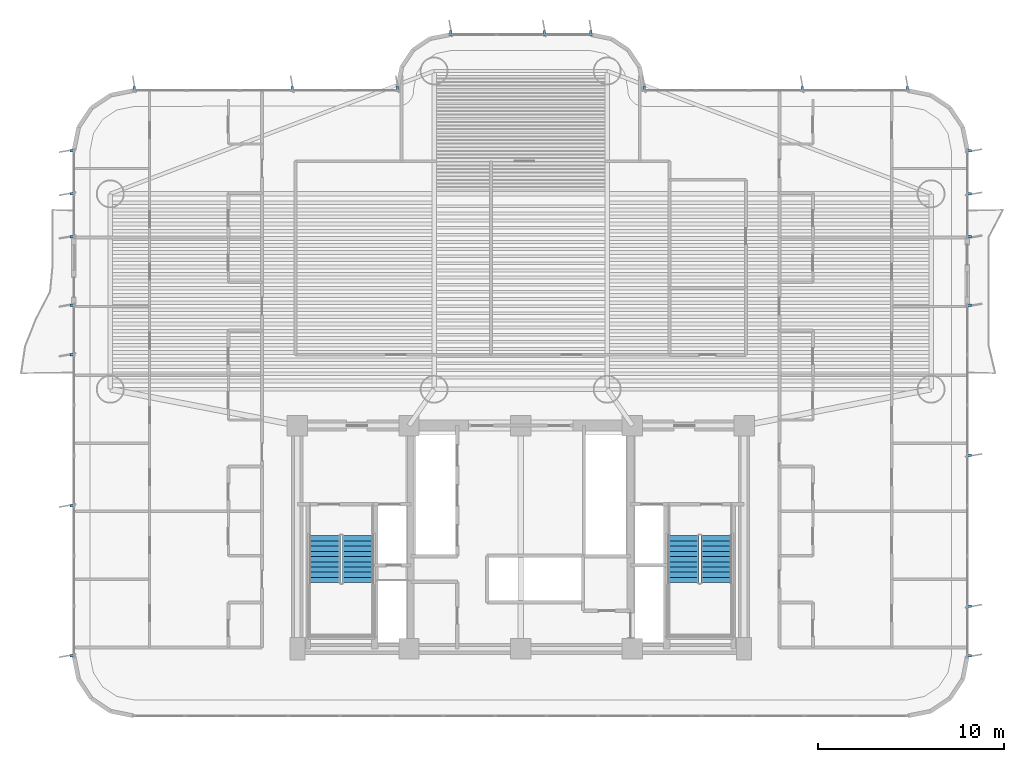
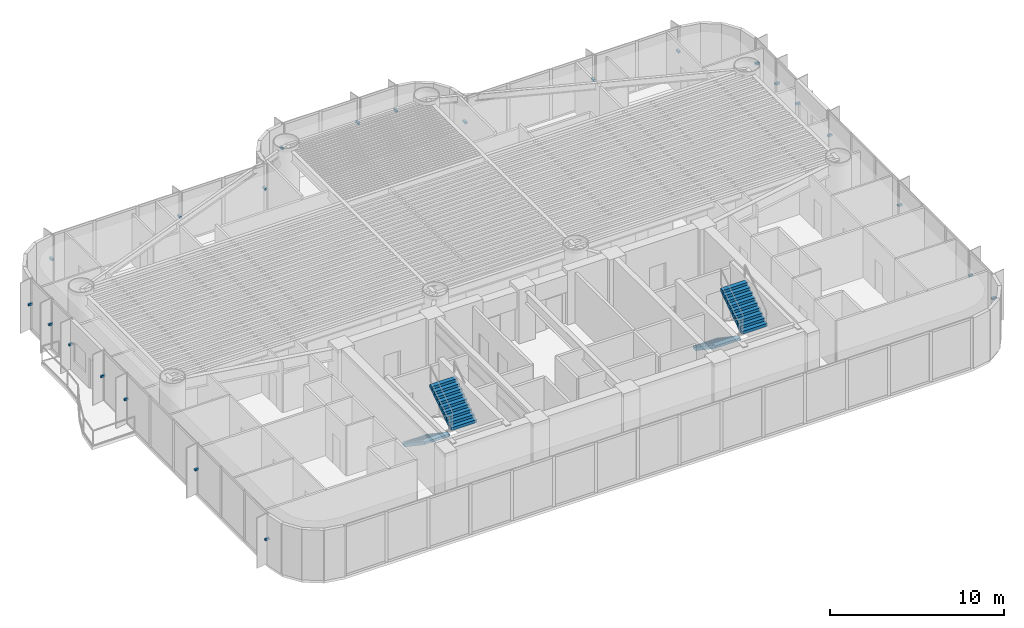
# One storey, part 15 of 19: 23 discrete accessories, 4 stair flights, 2 elements without a shape of their own.
"""IFC4 building model written with IfcOpenShell, lengths in metres."""

from ifc_helpers import new_model, si_unit, direction, frame, origin, origin_2d, place, context, subcontext, project, spatial, polyline, rectangle, outline, extrude, source, transform, mapped, material, type_object, element, aggregate, save


model = new_model("IFC4")

# Units and contexts
model_context = context("Model", 3, precision=1e-05, world=origin(), true_north=direction((0.0, 1.0)))
body_context = subcontext(model_context, "Body", "Model", "MODEL_VIEW")
ifc_project = project(units=[si_unit("LENGTHUNIT", "METRE"), si_unit("AREAUNIT", "SQUARE_METRE"), si_unit("VOLUMEUNIT", "CUBIC_METRE"), si_unit("PLANEANGLEUNIT", "RADIAN"), si_unit("MASSUNIT", "GRAM", prefix="KILO")], contexts=[model_context])

# Site, building, storey
site_placement = place(None, origin())
site = spatial("IfcSite", under=ifc_project, at=site_placement, CompositionType="ELEMENT")
building_placement = place(site_placement, origin())
building = spatial("IfcBuilding", under=site, at=building_placement, Name="Brelvock Crest Care Tower", CompositionType="ELEMENT")
storey_placement = place(building_placement, frame((0.0, 0.0, 34.56005859375)))
storey = spatial("IfcBuildingStorey", under=building, at=storey_placement, Name="L08", CompositionType="ELEMENT", Elevation=34.56005859375)

# Stair, stair flights
ifc_material_1 = material(Name="Concrete N40 (40 MPa)", Category="concrete")
stair_type = type_object("IfcStairType", Name="ST-CORE1", PredefinedType="HALF_TURN_STAIR", material=ifc_material_1)
stair_1_placement = place(storey_placement, origin())
stair_1 = element("IfcStair", 1, at=stair_1_placement, inside=storey, type_object=stair_type, Name="L08 Fire-Isolated Core Stair ST-1", PredefinedType="HALF_TURN_STAIR")
stair_flight_type = type_object("IfcStairFlightType", Name="STF-1", PredefinedType="STRAIGHT", material=ifc_material_1)
stair_flight_1_placement = place(storey_placement, frame((25.469970703125, 12.080078125, 0.0), z_axis=(0.0, 0.0, 1.0), x_axis=(0.0, -1.0, 0.0)))
stair_flight_1 = element("IfcStairFlight", 2, at=stair_flight_1_placement, type_object=stair_flight_type, Name="ST-1 flight 1", NumberOfRisers=10, NumberOfTreads=9, PredefinedType="STRAIGHT", RiserHeight=0.189, TreadLength=0.28, context=body_context, shape_type="SweptSolid", body=[
    extrude(outline(polyline([(-0.00390625, -0.014892578125), (-0.00390625, -0.0078125), (-0.00390625, -0.00048828125), (-0.00390625, 0.0068359375), (-0.00390625, 0.01416015625), (-0.00390625, 0.021484375), (-0.00390625, 0.02880859375), (-0.00390625, 0.035888671875), (-0.00390625, 0.043212890625), (-0.00390625, 0.050537109375), (-0.00390625, 0.057861328125), (-0.00390625, 0.065185546875), (-0.00390625, 0.072509765625), (-0.00390625, 0.07958984375), (-0.00390625, 0.0869140625), (-0.00390625, 0.09423828125), (-0.00390625, 0.1015625), (-0.00390625, 0.10888671875), (-0.00390625, 0.1162109375), (-0.00390625, 0.12353515625), (-0.00390625, 0.130615234375), (-0.00390625, 0.137939453125), (-0.00390625, 0.145263671875), (-0.00390625, 0.152587890625), (-0.00390625, 0.159912109375), (-0.00390625, 0.167236328125), (-0.00390625, 0.17431640625), (-0.00390625, 0.181640625), (-0.00390625, 0.18896484375), (0.0, 0.18896484375), (0.280029296875, 0.18896484375), (0.280029296875, 0.3779296875), (0.56005859375, 0.3779296875), (0.56005859375, 0.56689453125), (0.840087890625, 0.56689453125), (0.840087890625, 0.756103515625), (1.1201171875, 0.756103515625), (1.1201171875, 0.945068359375), (1.39990234375, 0.945068359375), (1.39990234375, 1.134033203125), (1.679931640625, 1.134033203125), (1.679931640625, 1.322998046875), (1.9599609375, 1.322998046875), (1.9599609375, 1.511962890625), (2.239990234375, 1.511962890625), (2.239990234375, 1.700927734375), (2.52001953125, 1.700927734375), (2.52392578125, 1.700927734375), (2.523681640625, 1.70068359375), (2.52392578125, 1.700439453125), (2.523681640625, 1.699951171875), (2.52392578125, 1.69970703125), (2.523681640625, 1.699462890625), (2.52392578125, 1.698974609375), (2.523681640625, 1.69873046875), (2.52392578125, 1.698486328125), (2.523681640625, 1.697998046875), (2.52392578125, 1.69775390625), (2.523681640625, 1.697509765625), (2.52392578125, 1.697021484375), (2.523681640625, 1.69677734375), (2.52392578125, 1.696533203125), (2.523681640625, 1.6962890625), (2.52392578125, 1.69580078125), (2.523681640625, 1.695556640625), (2.52392578125, 1.6953125), (2.523681640625, 1.69482421875), (2.52392578125, 1.694580078125), (2.523681640625, 1.6943359375), (2.52392578125, 1.69384765625), (2.523681640625, 1.693603515625), (2.52392578125, 1.693359375), (2.523681640625, 1.69287109375), (2.52392578125, 1.692626953125), (2.523681640625, 1.6923828125), (2.52392578125, 1.69189453125), (2.52001953125, 1.520263671875), (0.267822265625, 0.0), (0.0, 0.0), (0.0, -0.014892578125), (-0.00390625, -0.014892578125)])), frame((0.0, 0.83984375, 0.0), z_axis=(0.0, -1.0, 0.0), x_axis=(1.0, 0.0, 0.0)), (0.0, 0.0, 1.0), 1.679931640625),
])
stair_flight_2_placement = place(storey_placement, frame((27.27001953125, 9.56005859375, 1.889892578125), z_axis=(0.0, 0.0, 1.0), x_axis=(0.0, 1.0, 0.0)))
stair_flight_2 = element("IfcStairFlight", 3, at=stair_flight_2_placement, type_object=stair_flight_type, Name="ST-1 flight 2", NumberOfRisers=10, NumberOfTreads=9, PredefinedType="STRAIGHT", RiserHeight=0.189, TreadLength=0.28, context=body_context, shape_type="SweptSolid", body=[
    extrude(outline(polyline([(-0.00390625, -0.014892578125), (-0.00390625, -0.0078125), (-0.00390625, -0.00048828125), (-0.00390625, 0.0068359375), (-0.00390625, 0.01416015625), (-0.00390625, 0.021484375), (-0.00390625, 0.02880859375), (-0.00390625, 0.035888671875), (-0.00390625, 0.043212890625), (-0.00390625, 0.050537109375), (-0.00390625, 0.057861328125), (-0.00390625, 0.065185546875), (-0.00390625, 0.072509765625), (-0.00390625, 0.07958984375), (-0.00390625, 0.0869140625), (-0.00390625, 0.09423828125), (-0.00390625, 0.1015625), (-0.00390625, 0.10888671875), (-0.00390625, 0.1162109375), (-0.00390625, 0.12353515625), (-0.00390625, 0.130615234375), (-0.00390625, 0.137939453125), (-0.00390625, 0.145263671875), (-0.00390625, 0.152587890625), (-0.00390625, 0.159912109375), (-0.00390625, 0.167236328125), (-0.00390625, 0.17431640625), (-0.00390625, 0.181640625), (-0.00390625, 0.18896484375), (0.0, 0.18896484375), (0.280029296875, 0.18896484375), (0.280029296875, 0.3779296875), (0.56005859375, 0.3779296875), (0.56005859375, 0.56689453125), (0.840087890625, 0.56689453125), (0.840087890625, 0.756103515625), (1.1201171875, 0.756103515625), (1.1201171875, 0.945068359375), (1.39990234375, 0.945068359375), (1.39990234375, 1.134033203125), (1.679931640625, 1.134033203125), (1.679931640625, 1.322998046875), (1.9599609375, 1.322998046875), (1.9599609375, 1.511962890625), (2.239990234375, 1.511962890625), (2.239990234375, 1.700927734375), (2.52001953125, 1.700927734375), (2.52392578125, 1.700927734375), (2.523681640625, 1.70068359375), (2.52392578125, 1.700439453125), (2.523681640625, 1.699951171875), (2.52392578125, 1.69970703125), (2.523681640625, 1.699462890625), (2.52392578125, 1.698974609375), (2.523681640625, 1.69873046875), (2.52392578125, 1.698486328125), (2.523681640625, 1.697998046875), (2.52392578125, 1.69775390625), (2.523681640625, 1.697509765625), (2.52392578125, 1.697021484375), (2.523681640625, 1.69677734375), (2.52392578125, 1.696533203125), (2.523681640625, 1.6962890625), (2.52392578125, 1.69580078125), (2.523681640625, 1.695556640625), (2.52392578125, 1.6953125), (2.523681640625, 1.69482421875), (2.52392578125, 1.694580078125), (2.523681640625, 1.6943359375), (2.52392578125, 1.69384765625), (2.523681640625, 1.693603515625), (2.52392578125, 1.693359375), (2.523681640625, 1.69287109375), (2.52392578125, 1.692626953125), (2.523681640625, 1.6923828125), (2.52392578125, 1.69189453125), (2.52001953125, 1.520263671875), (0.267822265625, 0.0), (0.0, 0.0), (0.0, -0.014892578125), (-0.00390625, -0.014892578125)])), frame((0.0, 0.83984375, 0.0), z_axis=(0.0, -1.0, 0.0), x_axis=(1.0, 0.0, 0.0)), (0.0, 0.0, 1.0), 1.679931640625),
])
aggregate(stair_1, [stair_flight_1, stair_flight_2])

stair_2_placement = place(storey_placement, origin())
stair_2 = element("IfcStair", 4, at=stair_2_placement, inside=storey, type_object=stair_type, Name="L08 Fire-Isolated Core Stair ST-2", PredefinedType="HALF_TURN_STAIR")
stair_flight_3_placement = place(storey_placement, frame((44.72998046875, 12.080078125, 0.0), z_axis=(0.0, 0.0, 1.0), x_axis=(0.0, -1.0, 0.0)))
stair_flight_3 = element("IfcStairFlight", 5, at=stair_flight_3_placement, type_object=stair_flight_type, Name="ST-2 flight 1", NumberOfRisers=10, NumberOfTreads=9, PredefinedType="STRAIGHT", RiserHeight=0.189, TreadLength=0.28, context=body_context, shape_type="SweptSolid", body=[
    extrude(outline(polyline([(-0.00390625, -0.014892578125), (-0.00390625, -0.0078125), (-0.00390625, -0.00048828125), (-0.00390625, 0.0068359375), (-0.00390625, 0.01416015625), (-0.00390625, 0.021484375), (-0.00390625, 0.02880859375), (-0.00390625, 0.035888671875), (-0.00390625, 0.043212890625), (-0.00390625, 0.050537109375), (-0.00390625, 0.057861328125), (-0.00390625, 0.065185546875), (-0.00390625, 0.072509765625), (-0.00390625, 0.07958984375), (-0.00390625, 0.0869140625), (-0.00390625, 0.09423828125), (-0.00390625, 0.1015625), (-0.00390625, 0.10888671875), (-0.00390625, 0.1162109375), (-0.00390625, 0.12353515625), (-0.00390625, 0.130615234375), (-0.00390625, 0.137939453125), (-0.00390625, 0.145263671875), (-0.00390625, 0.152587890625), (-0.00390625, 0.159912109375), (-0.00390625, 0.167236328125), (-0.00390625, 0.17431640625), (-0.00390625, 0.181640625), (-0.00390625, 0.18896484375), (0.0, 0.18896484375), (0.280029296875, 0.18896484375), (0.280029296875, 0.3779296875), (0.56005859375, 0.3779296875), (0.56005859375, 0.56689453125), (0.840087890625, 0.56689453125), (0.840087890625, 0.756103515625), (1.1201171875, 0.756103515625), (1.1201171875, 0.945068359375), (1.39990234375, 0.945068359375), (1.39990234375, 1.134033203125), (1.679931640625, 1.134033203125), (1.679931640625, 1.322998046875), (1.9599609375, 1.322998046875), (1.9599609375, 1.511962890625), (2.239990234375, 1.511962890625), (2.239990234375, 1.700927734375), (2.52001953125, 1.700927734375), (2.52392578125, 1.700927734375), (2.523681640625, 1.70068359375), (2.52392578125, 1.700439453125), (2.523681640625, 1.699951171875), (2.52392578125, 1.69970703125), (2.523681640625, 1.699462890625), (2.52392578125, 1.698974609375), (2.523681640625, 1.69873046875), (2.52392578125, 1.698486328125), (2.523681640625, 1.697998046875), (2.52392578125, 1.69775390625), (2.523681640625, 1.697509765625), (2.52392578125, 1.697021484375), (2.523681640625, 1.69677734375), (2.52392578125, 1.696533203125), (2.523681640625, 1.6962890625), (2.52392578125, 1.69580078125), (2.523681640625, 1.695556640625), (2.52392578125, 1.6953125), (2.523681640625, 1.69482421875), (2.52392578125, 1.694580078125), (2.523681640625, 1.6943359375), (2.52392578125, 1.69384765625), (2.523681640625, 1.693603515625), (2.52392578125, 1.693359375), (2.523681640625, 1.69287109375), (2.52392578125, 1.692626953125), (2.523681640625, 1.6923828125), (2.52392578125, 1.69189453125), (2.52001953125, 1.520263671875), (0.267822265625, 0.0), (0.0, 0.0), (0.0, -0.014892578125), (-0.00390625, -0.014892578125)])), frame((0.0, 0.83984375, 0.0), z_axis=(0.0, -1.0, 0.0), x_axis=(1.0, 0.0, 0.0)), (0.0, 0.0, 1.0), 1.679931640625),
])
stair_flight_4_placement = place(storey_placement, frame((46.530029296875, 9.56005859375, 1.889892578125), z_axis=(0.0, 0.0, 1.0), x_axis=(0.0, 1.0, 0.0)))
stair_flight_4 = element("IfcStairFlight", 6, at=stair_flight_4_placement, type_object=stair_flight_type, Name="ST-2 flight 2", NumberOfRisers=10, NumberOfTreads=9, PredefinedType="STRAIGHT", RiserHeight=0.189, TreadLength=0.28, context=body_context, shape_type="SweptSolid", body=[
    extrude(outline(polyline([(-0.00390625, -0.014892578125), (-0.00390625, -0.0078125), (-0.00390625, -0.00048828125), (-0.00390625, 0.0068359375), (-0.00390625, 0.01416015625), (-0.00390625, 0.021484375), (-0.00390625, 0.02880859375), (-0.00390625, 0.035888671875), (-0.00390625, 0.043212890625), (-0.00390625, 0.050537109375), (-0.00390625, 0.057861328125), (-0.00390625, 0.065185546875), (-0.00390625, 0.072509765625), (-0.00390625, 0.07958984375), (-0.00390625, 0.0869140625), (-0.00390625, 0.09423828125), (-0.00390625, 0.1015625), (-0.00390625, 0.10888671875), (-0.00390625, 0.1162109375), (-0.00390625, 0.12353515625), (-0.00390625, 0.130615234375), (-0.00390625, 0.137939453125), (-0.00390625, 0.145263671875), (-0.00390625, 0.152587890625), (-0.00390625, 0.159912109375), (-0.00390625, 0.167236328125), (-0.00390625, 0.17431640625), (-0.00390625, 0.181640625), (-0.00390625, 0.18896484375), (0.0, 0.18896484375), (0.280029296875, 0.18896484375), (0.280029296875, 0.3779296875), (0.56005859375, 0.3779296875), (0.56005859375, 0.56689453125), (0.840087890625, 0.56689453125), (0.840087890625, 0.756103515625), (1.1201171875, 0.756103515625), (1.1201171875, 0.945068359375), (1.39990234375, 0.945068359375), (1.39990234375, 1.134033203125), (1.679931640625, 1.134033203125), (1.679931640625, 1.322998046875), (1.9599609375, 1.322998046875), (1.9599609375, 1.511962890625), (2.239990234375, 1.511962890625), (2.239990234375, 1.700927734375), (2.52001953125, 1.700927734375), (2.52392578125, 1.700927734375), (2.523681640625, 1.70068359375), (2.52392578125, 1.700439453125), (2.523681640625, 1.699951171875), (2.52392578125, 1.69970703125), (2.523681640625, 1.699462890625), (2.52392578125, 1.698974609375), (2.523681640625, 1.69873046875), (2.52392578125, 1.698486328125), (2.523681640625, 1.697998046875), (2.52392578125, 1.69775390625), (2.523681640625, 1.697509765625), (2.52392578125, 1.697021484375), (2.523681640625, 1.69677734375), (2.52392578125, 1.696533203125), (2.523681640625, 1.6962890625), (2.52392578125, 1.69580078125), (2.523681640625, 1.695556640625), (2.52392578125, 1.6953125), (2.523681640625, 1.69482421875), (2.52392578125, 1.694580078125), (2.523681640625, 1.6943359375), (2.52392578125, 1.69384765625), (2.523681640625, 1.693603515625), (2.52392578125, 1.693359375), (2.523681640625, 1.69287109375), (2.52392578125, 1.692626953125), (2.523681640625, 1.6923828125), (2.52392578125, 1.69189453125), (2.52001953125, 1.520263671875), (0.267822265625, 0.0), (0.0, 0.0), (0.0, -0.014892578125), (-0.00390625, -0.014892578125)])), frame((0.0, 0.83984375, 0.0), z_axis=(0.0, -1.0, 0.0), x_axis=(1.0, 0.0, 0.0)), (0.0, 0.0, 1.0), 1.679931640625),
])
aggregate(stair_2, [stair_flight_3, stair_flight_4])

# Discrete accessories
ifc_material_2 = material(Name="Steel Grade 350", Category="steel")
discrete_accessory_type = type_object("IfcDiscreteAccessoryType", Name="ACC-BRK1", PredefinedType="BRACKET", material=ifc_material_2)
shared_shape = source(origin(), body_context, "Body", "SweptSolid", [
    extrude(rectangle(XDim=0.280029296875, YDim=0.139892578125, at=origin_2d()), origin(), (0.0, 0.0, 1.0), 0.139892578125),
])
for number, where, z_axis, x_axis, name in (
    (7, (60.080078125, 32.767578125, 1.69482421875), (0.0, 0.0, 1.0), (1.0, 0.0, 0.0), "L08 Facade Fin Bracket E03A-01"),
    (8, (60.080078125, 30.449951171875, 1.69482421875), (0.0, 0.0, 1.0), (1.0, 0.0, 0.0), "L08 Facade Fin Bracket E03A-02"),
    (9, (60.080078125, 28.132568359375, 1.69482421875), (0.0, 0.0, 1.0), (1.0, 0.0, 0.0), "L08 Facade Fin Bracket E03A-03"),
    (10, (60.080078125, 24.467529296875, 1.69482421875), (0.0, 0.0, 1.0), (1.0, 0.0, 0.0), "L08 Facade Fin Bracket E03B-01"),
    (11, (60.080078125, 16.39990234375, 1.69482421875), (0.0, 0.0, 1.0), (1.0, 0.0, 0.0), "L08 Facade Fin Bracket E03B-04"),
    (12, (60.080078125, 8.300048828125, 1.69482421875), (0.0, 0.0, 1.0), (1.0, 0.0, 0.0), "L08 Facade Fin Bracket E03B-07"),
    (13, (60.080078125, 5.632568359375, 1.69482421875), (0.0, 0.0, 1.0), (1.0, 0.0, 0.0), "L08 Facade Fin Bracket E03B-08"),
    (14, (11.919921875, 5.632568359375, 1.69482421875), (0.0, 0.0, 1.0), (-1.0, 0.0, 0.0), "L08 Facade Fin Bracket E13A-01"),
    (15, (11.919921875, 13.699951171875, 1.69482421875), (0.0, 0.0, 1.0), (-1.0, 0.0, 0.0), "L08 Facade Fin Bracket E13A-04"),
    (16, (11.919921875, 21.800048828125, 1.69482421875), (0.0, 0.0, 1.0), (-1.0, 0.0, 0.0), "L08 Facade Fin Bracket E13A-07"),
    (17, (11.919921875, 24.467529296875, 1.69482421875), (0.0, 0.0, 1.0), (-1.0, 0.0, 0.0), "L08 Facade Fin Bracket E13A-08"),
    (18, (11.919921875, 28.132568359375, 1.69482421875), (0.0, 0.0, 1.0), (-1.0, 0.0, 0.0), "L08 Facade Fin Bracket E13B-01"),
    (19, (11.919921875, 30.449951171875, 1.69482421875), (0.0, 0.0, 1.0), (-1.0, 0.0, 0.0), "L08 Facade Fin Bracket E13B-02"),
    (20, (11.919921875, 32.767578125, 1.69482421875), (0.0, 0.0, 1.0), (-1.0, 0.0, 0.0), "L08 Facade Fin Bracket E13B-03"),
    (21, (15.232421875, 36.080078125, 1.69482421875), (0.0, 0.0, 1.0), (0.0, 1.0, 0.0), "L08 Facade Fin Bracket E18-01"),
    (22, (23.719970703125, 36.080078125, 1.69482421875), (0.0, 0.0, 1.0), (0.0, 1.0, 0.0), "L08 Facade Fin Bracket E18-04"),
    (23, (29.367431640625, 36.080078125, 1.69482421875), (0.0, 0.0, 1.0), (0.0, 1.0, 0.0), "L08 Facade Fin Bracket E18-06"),
    (24, (32.232421875, 39.080078125, 1.69482421875), (0.0, 0.0, 1.0), (0.0, 1.0, 0.0), "L08 Facade Fin Bracket E24-01"),
    (25, (37.2666015625, 39.080078125, 1.69482421875), (0.0, 0.0, 1.0), (0.0, 1.0, 0.0), "L08 Facade Fin Bracket E24-03"),
    (26, (39.767578125, 39.080078125, 1.69482421875), (0.0, 0.0, 1.0), (0.0, 1.0, 0.0), "L08 Facade Fin Bracket E24-04"),
    (27, (42.632568359375, 36.080078125, 1.69482421875), (0.0, 0.0, 1.0), (0.0, 1.0, 0.0), "L08 Facade Fin Bracket E30-01"),
    (28, (51.1201171875, 36.080078125, 1.69482421875), (0.0, 0.0, 1.0), (0.0, 1.0, 0.0), "L08 Facade Fin Bracket E30-04"),
    (29, (56.767578125, 36.080078125, 1.69482421875), (0.0, 0.0, 1.0), (0.0, 1.0, 0.0), "L08 Facade Fin Bracket E30-06"),
):
    element("IfcDiscreteAccessory", number, at=place(storey_placement, frame(where, z_axis=z_axis, x_axis=x_axis)), inside=storey, type_object=discrete_accessory_type, Name=name, PredefinedType="BRACKET", context=body_context, shape_type="MappedRepresentation", body=[
        mapped(shared_shape, transform((0.0, 0.0, 0.0), x_axis=(1.0, 0.0, 0.0), y_axis=(0.0, 1.0, 0.0), z_axis=(0.0, 0.0, 1.0), scale=1.0)),
    ])

save(model, "model.ifc")
